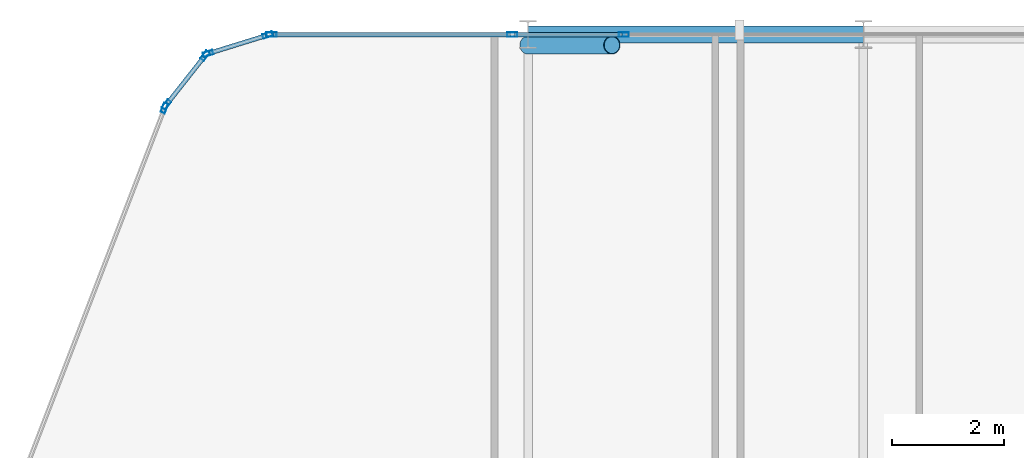
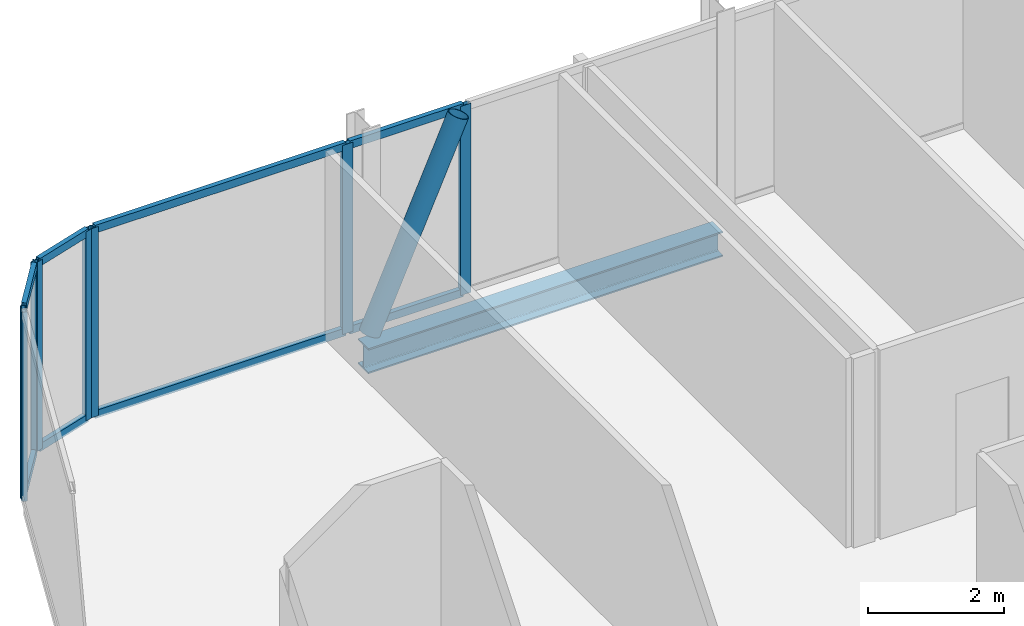
# One storey, part 17 of 31: 17 members, 1 beam, 5 elements without a shape of their own.
"""IFC4 building model written with IfcOpenShell, lengths in metres."""

from ifc_helpers import new_model, si_unit, direction, frame, origin, origin_2d, place, context, subcontext, project, spatial, hollow_rectangle, hollow_circle, i_section, extrude, material, layer, layer_set, material_profile, profile_set, type_object, element, aggregate, save


model = new_model("IFC4")

# Units and contexts
model_context = context("Model", 3, precision=1e-05, world=origin(), true_north=direction((0.0, 1.0)))
body_context = subcontext(model_context, "Body", "Model", "MODEL_VIEW")
ifc_project = project(units=[si_unit("LENGTHUNIT", "METRE"), si_unit("AREAUNIT", "SQUARE_METRE"), si_unit("VOLUMEUNIT", "CUBIC_METRE"), si_unit("PLANEANGLEUNIT", "RADIAN"), si_unit("MASSUNIT", "GRAM", prefix="KILO")], contexts=[model_context])

# Site, building, storey
site_placement = place(None, origin())
site = spatial("IfcSite", under=ifc_project, at=site_placement, CompositionType="ELEMENT")
building_placement = place(site_placement, origin())
building = spatial("IfcBuilding", under=site, at=building_placement, Name="Keshet Zoharim Tower", CompositionType="ELEMENT")
storey_placement = place(building_placement, frame((0.0, 0.0, 140.89990234375)))
storey = spatial("IfcBuildingStorey", under=building, at=storey_placement, Name="L34", CompositionType="ELEMENT", Elevation=140.89990234375)

# Beam
ifc_material_1 = material(Name="Steel S355", Category="steel")
ifc_material_profile_1 = material_profile(ifc_material_1, i_section(OverallWidth=0.300048828125, OverallDepth=0.449951171875, WebThickness=0.013916015625, FlangeThickness=0.02587890625, FilletRadius=0.027099609375, at=origin_2d()), Name="HEB450")
ifc_profile_set_1 = profile_set([ifc_material_profile_1], Name="Steel S355")
beam_type = type_object("IfcBeamType", Name="BM-WEB-HB450", PredefinedType="BEAM", material=ifc_profile_set_1)
beam_placement = place(storey_placement, frame((21.0, 53.89990234375, -0.539794921875), z_axis=(1.0, 0.0, 0.0), x_axis=(0.0, 1.0, 0.0)))
element("IfcBeam", 1, at=beam_placement, inside=storey, type_object=beam_type, Name="L34 Primary Girder X-020", PredefinedType="BEAM", context=body_context, shape_type="SweptSolid", body=[
    extrude(i_section(OverallWidth=0.300048828125, OverallDepth=0.449951171875, WebThickness=0.013916015625, FlangeThickness=0.02587890625, FilletRadius=0.027099609375, at=origin_2d()), origin(), (0.0, 0.0, 1.0), 6.0),
])

# Curtain wall, member
ifc_material_2 = material(Name="Aluminium 6063-T6", Category="aluminium")
ifc_layer = layer(ifc_material_2, 0.159912109375)
ifc_layer_set = layer_set([ifc_layer], Name="Aluminium 6063-T6")
curtain_wall_type = type_object("IfcCurtainWallType", Name="CW-SYS-03", PredefinedType="NOTDEFINED", material=ifc_layer_set)
curtain_wall_1_placement = place(storey_placement, origin())
curtain_wall_1 = element("IfcCurtainWall", 2, at=curtain_wall_1_placement, inside=storey, type_object=curtain_wall_type, Name="L34 Unitised Curtain Wall 10", PredefinedType="NOTDEFINED")
ifc_material_profile_2 = material_profile(ifc_material_2, hollow_rectangle(XDim=0.080078125, YDim=0.179931640625, WallThickness=0.00439453125, at=origin_2d()), Name="MUL-80x180")
ifc_profile_set_2 = profile_set([ifc_material_profile_2], Name="Aluminium 6063-T6")
member_type_1 = type_object("IfcMemberType", Name="CWM-M18", PredefinedType="MULLION", material=ifc_profile_set_2)
member_1_placement = place(storey_placement, frame((14.494384765625, 52.58544921875, 0.0), z_axis=(0.0, 0.0, 1.0), x_axis=(-0.933341404361, 0.358990003907, 0.0)))
member_1 = element("IfcMember", 3, at=member_1_placement, type_object=member_type_1, Name="CW-03 mullion 4", PredefinedType="MULLION", context=body_context, shape_type="SweptSolid", body=[
    extrude(hollow_rectangle(XDim=0.080078125, YDim=0.179931640625, WallThickness=0.00439453125, at=origin_2d()), origin(), (0.0, 0.0, 1.0), 3.385009765625),
])
aggregate(curtain_wall_1, [member_1])

# Curtain wall, members
curtain_wall_2_placement = place(storey_placement, origin())
curtain_wall_2 = element("IfcCurtainWall", 4, at=curtain_wall_2_placement, inside=storey, type_object=curtain_wall_type, Name="L34 Unitised Curtain Wall 11", PredefinedType="NOTDEFINED")
member_2_placement = place(storey_placement, frame((14.528564453125, 52.6455078125, 0.0), z_axis=(0.0, 0.0, 1.0), x_axis=(-0.785292825205, 0.619124525989, 0.0)))
member_2 = element("IfcMember", 5, at=member_2_placement, type_object=member_type_1, Name="CW-03 mullion 1", PredefinedType="MULLION", context=body_context, shape_type="SweptSolid", body=[
    extrude(hollow_rectangle(XDim=0.080078125, YDim=0.179931640625, WallThickness=0.00439453125, at=origin_2d()), origin(), (0.0, 0.0, 1.0), 3.385009765625),
])
member_3_placement = place(storey_placement, frame((15.21923828125, 53.521484375, 0.0), z_axis=(0.0, 0.0, 1.0), x_axis=(-0.785292825205, 0.619124525989, 0.0)))
member_3 = element("IfcMember", 6, at=member_3_placement, type_object=member_type_1, Name="CW-03 mullion 2", PredefinedType="MULLION", context=body_context, shape_type="SweptSolid", body=[
    extrude(hollow_rectangle(XDim=0.080078125, YDim=0.179931640625, WallThickness=0.00439453125, at=origin_2d()), origin(), (0.0, 0.0, 1.0), 3.385009765625),
])

curtain_wall_3_placement = place(storey_placement, origin())
curtain_wall_3 = element("IfcCurtainWall", 7, at=curtain_wall_3_placement, inside=storey, type_object=curtain_wall_type, Name="L34 Unitised Curtain Wall 12", PredefinedType="NOTDEFINED")
member_4_placement = place(storey_placement, frame((15.2744140625, 53.559326171875, 0.0), z_axis=(0.0, 0.0, 1.0), x_axis=(-0.295921857984, 0.955212151288, 0.0)))
member_4 = element("IfcMember", 8, at=member_4_placement, type_object=member_type_1, Name="CW-03 mullion 1", PredefinedType="MULLION", context=body_context, shape_type="SweptSolid", body=[
    extrude(hollow_rectangle(XDim=0.080078125, YDim=0.179931640625, WallThickness=0.00439453125, at=origin_2d()), origin(), (0.0, 0.0, 1.0), 3.385009765625),
])
member_5_placement = place(storey_placement, frame((16.340576171875, 53.8896484375, 0.0), z_axis=(0.0, 0.0, 1.0), x_axis=(-0.295921857984, 0.955212151288, 0.0)))
member_5 = element("IfcMember", 9, at=member_5_placement, type_object=member_type_1, Name="CW-03 mullion 2", PredefinedType="MULLION", context=body_context, shape_type="SweptSolid", body=[
    extrude(hollow_rectangle(XDim=0.080078125, YDim=0.179931640625, WallThickness=0.00439453125, at=origin_2d()), origin(), (0.0, 0.0, 1.0), 3.385009765625),
])

curtain_wall_4_placement = place(storey_placement, origin())
curtain_wall_4 = element("IfcCurtainWall", 10, at=curtain_wall_4_placement, inside=storey, type_object=curtain_wall_type, Name="L34 Unitised Curtain Wall 13", PredefinedType="NOTDEFINED")
member_6_placement = place(storey_placement, frame((16.408935546875, 53.89990234375, 0.0), z_axis=(0.0, 0.0, 1.0), x_axis=(0.0, 1.0, 0.0)))
member_6 = element("IfcMember", 11, at=member_6_placement, type_object=member_type_1, Name="CW-03 mullion 1", PredefinedType="MULLION", context=body_context, shape_type="SweptSolid", body=[
    extrude(hollow_rectangle(XDim=0.080078125, YDim=0.179931640625, WallThickness=0.00439453125, at=origin_2d()), origin(), (0.0, 0.0, 1.0), 3.385009765625),
])
member_7_placement = place(storey_placement, frame((20.716796875, 53.89990234375, 0.0), z_axis=(0.0, 0.0, 1.0), x_axis=(0.0, 1.0, 0.0)))
member_7 = element("IfcMember", 12, at=member_7_placement, type_object=member_type_1, Name="CW-03 mullion 2", PredefinedType="MULLION", context=body_context, shape_type="SweptSolid", body=[
    extrude(hollow_rectangle(XDim=0.080078125, YDim=0.179931640625, WallThickness=0.00439453125, at=origin_2d()), origin(), (0.0, 0.0, 1.0), 3.385009765625),
])

# Curtain wall, member
curtain_wall_5_placement = place(storey_placement, origin())
curtain_wall_5 = element("IfcCurtainWall", 13, at=curtain_wall_5_placement, inside=storey, type_object=curtain_wall_type, Name="L34 Unitised Curtain Wall 13 Part 2", PredefinedType="NOTDEFINED")
member_8_placement = place(storey_placement, frame((22.713134765625, 53.89990234375, 0.0), z_axis=(0.0, 0.0, 1.0), x_axis=(0.0, 1.0, 0.0)))
member_8 = element("IfcMember", 14, at=member_8_placement, type_object=member_type_1, Name="CW-03 mullion 2", PredefinedType="MULLION", context=body_context, shape_type="SweptSolid", body=[
    extrude(hollow_rectangle(XDim=0.080078125, YDim=0.179931640625, WallThickness=0.00439453125, at=origin_2d()), origin(), (0.0, 0.0, 1.0), 3.385009765625),
])

# Member
ifc_material_profile_3 = material_profile(ifc_material_2, hollow_rectangle(XDim=0.080078125, YDim=0.139892578125, WallThickness=0.00390625, at=origin_2d()), Name="TRN-80x140")
ifc_profile_set_3 = profile_set([ifc_material_profile_3], Name="Aluminium 6063-T6")
member_type_2 = type_object("IfcMemberType", Name="CWT-T14", PredefinedType="USERDEFINED", material=ifc_profile_set_3)
member_9_placement = place(storey_placement, frame((14.55029296875, 52.6728515625, 0.03515625), z_axis=(0.619099165969, 0.78531281837, 0.0), x_axis=(-0.78531281837, 0.619099165969, 0.0)))
member_9 = element("IfcMember", 15, at=member_9_placement, type_object=member_type_2, Name="CW-03 transom 1.1", ObjectType="TRANSOM", PredefinedType="USERDEFINED", context=body_context, shape_type="SweptSolid", body=[
    extrude(hollow_rectangle(XDim=0.080078125, YDim=0.139892578125, WallThickness=0.00390625, at=origin_2d()), origin(), (0.0, 0.0, 1.0), 1.0458984375),
])

member_10_placement = place(storey_placement, frame((14.55029296875, 52.6728515625, 3.35009765625), z_axis=(0.619099165969, 0.78531281837, 0.0), x_axis=(-0.78531281837, 0.619099165969, 0.0)))
member_10 = element("IfcMember", 16, at=member_10_placement, type_object=member_type_2, Name="CW-03 transom 1.2", ObjectType="TRANSOM", PredefinedType="USERDEFINED", context=body_context, shape_type="SweptSolid", body=[
    extrude(hollow_rectangle(XDim=0.080078125, YDim=0.139892578125, WallThickness=0.00390625, at=origin_2d()), origin(), (0.0, 0.0, 1.0), 1.0458984375),
])

aggregate(curtain_wall_2, [member_2, member_3, member_9, member_10])

member_11_placement = place(storey_placement, frame((15.307861328125, 53.56982421875, 0.03515625), z_axis=(0.955212093062, 0.295922045933, 0.0), x_axis=(-0.295922045933, 0.955212093062, 0.0)))
member_11 = element("IfcMember", 17, at=member_11_placement, type_object=member_type_2, Name="CW-03 transom 1.1", ObjectType="TRANSOM", PredefinedType="USERDEFINED", context=body_context, shape_type="SweptSolid", body=[
    extrude(hollow_rectangle(XDim=0.080078125, YDim=0.139892578125, WallThickness=0.00390625, at=origin_2d()), origin(), (0.0, 0.0, 1.0), 1.046142578125),
])

member_12_placement = place(storey_placement, frame((15.307861328125, 53.56982421875, 3.35009765625), z_axis=(0.955212093062, 0.295922045933, 0.0), x_axis=(-0.295922045933, 0.955212093062, 0.0)))
member_12 = element("IfcMember", 18, at=member_12_placement, type_object=member_type_2, Name="CW-03 transom 1.2", ObjectType="TRANSOM", PredefinedType="USERDEFINED", context=body_context, shape_type="SweptSolid", body=[
    extrude(hollow_rectangle(XDim=0.080078125, YDim=0.139892578125, WallThickness=0.00390625, at=origin_2d()), origin(), (0.0, 0.0, 1.0), 1.046142578125),
])

aggregate(curtain_wall_3, [member_4, member_5, member_11, member_12])

member_13_placement = place(storey_placement, frame((16.444091796875, 53.89990234375, 0.03515625), z_axis=(1.0, 0.0, 0.0), x_axis=(0.0, 1.0, 0.0)))
member_13 = element("IfcMember", 19, at=member_13_placement, type_object=member_type_2, Name="CW-03 transom 1.1", ObjectType="TRANSOM", PredefinedType="USERDEFINED", context=body_context, shape_type="SweptSolid", body=[
    extrude(hollow_rectangle(XDim=0.080078125, YDim=0.139892578125, WallThickness=0.00390625, at=origin_2d()), origin(), (0.0, 0.0, 1.0), 4.23779296875),
])

member_14_placement = place(storey_placement, frame((16.444091796875, 53.89990234375, 3.35009765625), z_axis=(1.0, 0.0, 0.0), x_axis=(0.0, 1.0, 0.0)))
member_14 = element("IfcMember", 20, at=member_14_placement, type_object=member_type_2, Name="CW-03 transom 1.2", ObjectType="TRANSOM", PredefinedType="USERDEFINED", context=body_context, shape_type="SweptSolid", body=[
    extrude(hollow_rectangle(XDim=0.080078125, YDim=0.139892578125, WallThickness=0.00390625, at=origin_2d()), origin(), (0.0, 0.0, 1.0), 4.23779296875),
])

aggregate(curtain_wall_4, [member_6, member_7, member_13, member_14])

member_15_placement = place(storey_placement, frame((20.751953125, 53.89990234375, 0.03515625), z_axis=(1.0, 0.0, 0.0), x_axis=(0.0, 1.0, 0.0)))
member_15 = element("IfcMember", 21, at=member_15_placement, type_object=member_type_2, Name="CW-03 transom 1.1", ObjectType="TRANSOM", PredefinedType="USERDEFINED", context=body_context, shape_type="SweptSolid", body=[
    extrude(hollow_rectangle(XDim=0.080078125, YDim=0.139892578125, WallThickness=0.00390625, at=origin_2d()), origin(), (0.0, 0.0, 1.0), 1.926025390625),
])

member_16_placement = place(storey_placement, frame((20.751953125, 53.89990234375, 3.35009765625), z_axis=(1.0, 0.0, 0.0), x_axis=(0.0, 1.0, 0.0)))
member_16 = element("IfcMember", 22, at=member_16_placement, type_object=member_type_2, Name="CW-03 transom 1.2", ObjectType="TRANSOM", PredefinedType="USERDEFINED", context=body_context, shape_type="SweptSolid", body=[
    extrude(hollow_rectangle(XDim=0.080078125, YDim=0.139892578125, WallThickness=0.00390625, at=origin_2d()), origin(), (0.0, 0.0, 1.0), 1.926025390625),
])

aggregate(curtain_wall_5, [member_8, member_15, member_16])

ifc_material_profile_4 = material_profile(ifc_material_1, hollow_circle(Radius=0.161865234375, WallThickness=0.012451171875, at=origin_2d()), Name="CHS323x12.5")
ifc_profile_set_4 = profile_set([ifc_material_profile_4], Name="Steel S355")
member_type_3 = type_object("IfcMemberType", Name="MB-BR-C323", PredefinedType="BRACE", material=ifc_profile_set_4)
member_17_placement = place(storey_placement, frame((21.0, 53.7099609375, 0.0), z_axis=(0.405134846829, 0.0, 0.91425694194), x_axis=(0.0, 1.0, 0.0)))
element("IfcMember", 23, at=member_17_placement, inside=storey, type_object=member_type_3, Name="L34 Perimeter Tube Brace 02", PredefinedType="BRACE", context=body_context, shape_type="SweptSolid", body=[
    extrude(hollow_circle(Radius=0.161865234375, WallThickness=0.012451171875, at=origin_2d()), origin(), (0.0, 0.0, 1.0), 3.702392578125),
])

save(model, "model.ifc")
